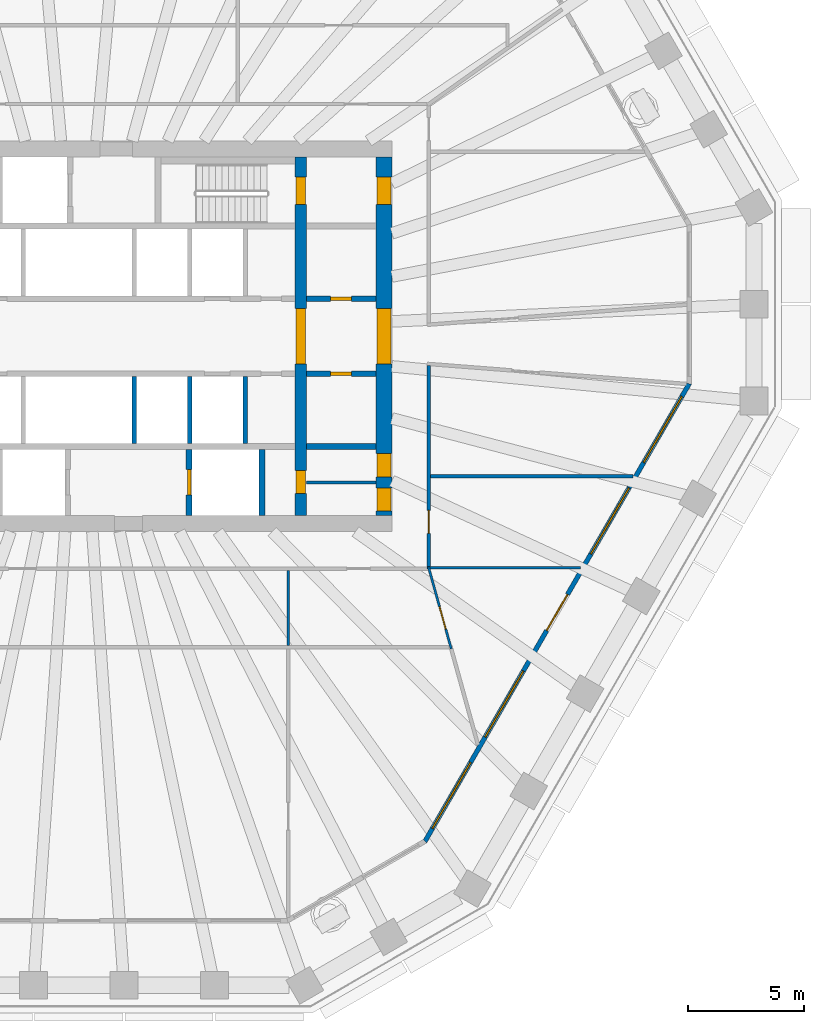
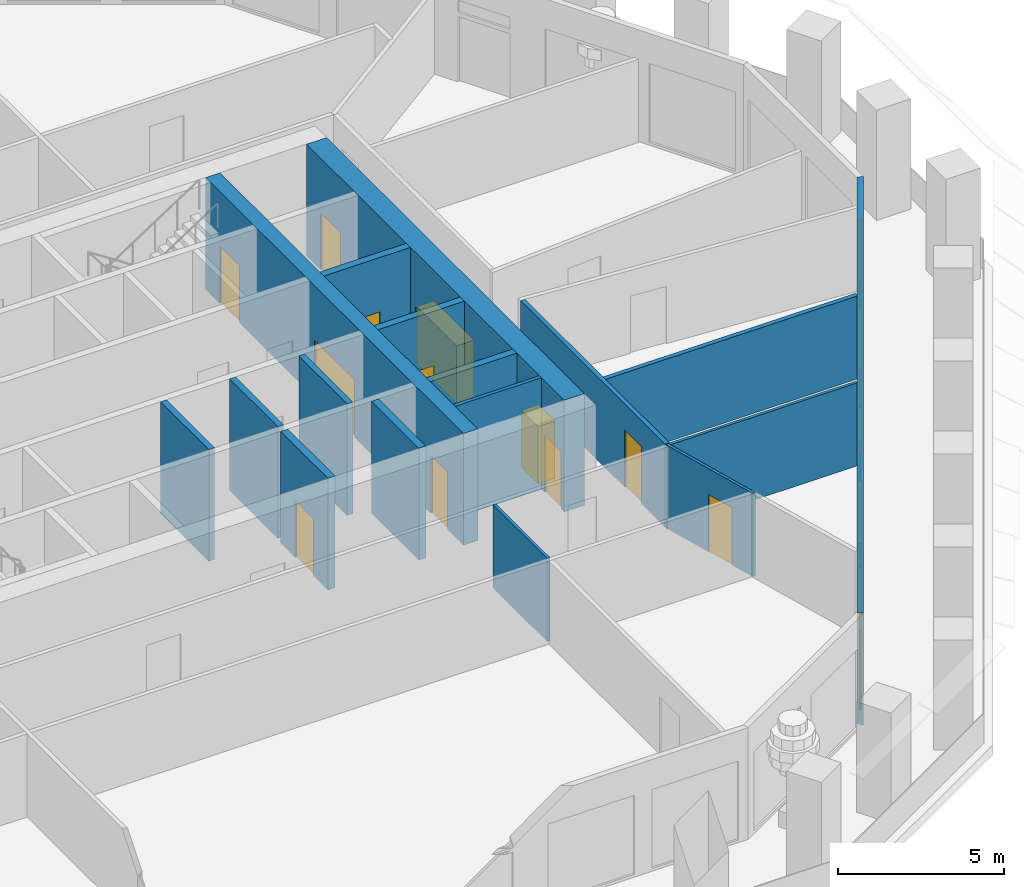
# One storey, part 5 of 12: 17 walls, 13 doors, 5 windows, 18 openings.
"""IFC4 building model written with IfcOpenShell, lengths in metres."""

from ifc_helpers import new_model, si_unit, direction, frame, frame_2d, origin, place, context, subcontext, project, spatial, polyline, rectangle, outline, extrude, material, layer, layer_set, type_object, element, fill, save


model = new_model("IFC4")

# Units and contexts
model_context = context("Model", 3, precision=1e-05, world=origin(), true_north=direction((0.0, 1.0)))
body_context = subcontext(model_context, "Body", "Model", "MODEL_VIEW")
ifc_project = project(units=[si_unit("LENGTHUNIT", "METRE"), si_unit("AREAUNIT", "SQUARE_METRE"), si_unit("VOLUMEUNIT", "CUBIC_METRE"), si_unit("PLANEANGLEUNIT", "RADIAN"), si_unit("MASSUNIT", "GRAM", prefix="KILO")], contexts=[model_context])

# Site, building, storey
site_placement = place(None, origin())
site = spatial("IfcSite", under=ifc_project, at=site_placement, CompositionType="ELEMENT")
building_placement = place(site_placement, origin())
building = spatial("IfcBuilding", under=site, at=building_placement, Name="Frailejon Research Tower", CompositionType="ELEMENT")
storey_placement = place(building_placement, frame((0.0, 0.0, 189.199951171875)))
storey = spatial("IfcBuildingStorey", under=building, at=storey_placement, Name="L41", CompositionType="ELEMENT", Elevation=189.199951171875)

# Wall
ifc_material_1 = material(Name="Plasterboard on steel studs", Category="steel")
ifc_layer_1 = layer(ifc_material_1, 0.125)
ifc_layer_set_1 = layer_set([ifc_layer_1], Name="Core partition 125")
wall_type_1 = type_object("IfcWallType", Name="Core partition 125", PredefinedType="PARTITIONING", material=ifc_layer_set_1)
wall_1_placement = place(storey_placement, frame((9.85009765625, -6.324951171875, 0.0), z_axis=(0.0, 0.0, 1.0), x_axis=(1.0, 0.0, 0.0)))
element("IfcWall", 1, at=wall_1_placement, inside=storey, type_object=wall_type_1, Name="Core partition", PredefinedType="PARTITIONING", context=body_context, shape_type="SweptSolid", body=[
    extrude(rectangle(XDim=3.0, YDim=0.125, at=frame_2d((1.5, 0.0))), origin(), (0.0, 0.0, 1.0), 4.10009765625),
])

# Wall, openings, doors
ifc_material_2 = material(Name="Concrete C60/75", Category="concrete")
ifc_layer_2 = layer(ifc_material_2, 0.5)
ifc_layer_set_2 = layer_set([ifc_layer_2], Name="Core shear wall 500 C60/75")
wall_type_2 = type_object("IfcWallType", Name="Core shear wall 500 C60/75", PredefinedType="SHEAR", material=ifc_layer_set_2)
wall_2_placement = place(storey_placement, frame((9.60009765625, -7.75, 0.0), z_axis=(0.0, 0.0, 1.0), x_axis=(0.0, 1.0, 0.0)))
wall_2 = element("IfcWall", 2, at=wall_2_placement, inside=storey, type_object=wall_type_2, Name="Core shear wall", PredefinedType="SHEAR", context=body_context, shape_type="SweptSolid", body=[
    extrude(rectangle(XDim=15.5, YDim=0.5, at=frame_2d((7.75, 0.0))), origin(), (0.0, 0.0, 1.0), 4.10009765625),
])
opening_1_placement = place(wall_2_placement, frame((6.550048828125, 0.0, 0.0)))
opening_1 = element("IfcOpeningElement", 3, at=opening_1_placement, cuts=wall_2, Name="Opening D2", PredefinedType="OPENING", context=body_context, shape_type="SweptSolid", body=[
    extrude(rectangle(XDim=2.39990234375, YDim=2.10009765625, at=frame_2d((1.199951171875, 1.050048828125))), frame((0.0, 0.260009765625, 0.0), z_axis=(0.0, -1.0, 0.0), x_axis=(1.0, 0.0, 0.0)), (0.0, 0.0, 1.0), 0.52001953125),
])
opening_2_placement = place(wall_2_placement, frame((13.449951171875, 0.0, 0.0)))
opening_2 = element("IfcOpeningElement", 4, at=opening_2_placement, cuts=wall_2, Name="Opening D1", PredefinedType="OPENING", context=body_context, shape_type="SweptSolid", body=[
    extrude(rectangle(XDim=1.199951171875, YDim=2.10009765625, at=frame_2d((0.60009765625, 1.050048828125))), frame((0.0, 0.260009765625, 0.0), z_axis=(0.0, -1.0, 0.0), x_axis=(1.0, 0.0, 0.0)), (0.0, 0.0, 1.0), 0.52001953125),
])
opening_3_placement = place(wall_2_placement, frame((0.949951171875, 0.0, 0.0)))
opening_3 = element("IfcOpeningElement", 5, at=opening_3_placement, cuts=wall_2, Name="Opening D4", PredefinedType="OPENING", context=body_context, shape_type="SweptSolid", body=[
    extrude(rectangle(XDim=1.0, YDim=2.10009765625, at=frame_2d((0.5, 1.050048828125))), frame((0.0, 0.260009765625, 0.0), z_axis=(0.0, -1.0, 0.0), x_axis=(1.0, 0.0, 0.0)), (0.0, 0.0, 1.0), 0.52001953125),
])
ifc_material_3 = material(Name="Steel", Category="steel")
door_type_1 = type_object("IfcDoorType", Name="Lobby double door", OperationType="DOUBLE_DOOR_SINGLE_SWING", PredefinedType="DOOR", material=ifc_material_3)
door_1_placement = place(opening_1_placement, origin())
door_1 = element("IfcDoor", 6, at=door_1_placement, inside=storey, type_object=door_type_1, Name="Lobby door", OperationType="DOUBLE_DOOR_SINGLE_SWING", OverallHeight=2.10009765625, OverallWidth=2.39990234375, PredefinedType="DOOR", context=body_context, shape_type="SweptSolid", body=[
    extrude(rectangle(XDim=2.39990234375, YDim=2.10009765625, at=frame_2d((1.199951171875, 1.050048828125))), frame((0.0, 0.199951171875, 0.0), z_axis=(0.0, -1.0, 0.0), x_axis=(1.0, 0.0, 0.0)), (0.0, 0.0, 1.0), 0.39990234375),
])
fill(opening_1, door_1)
ifc_material_4 = material(Name="Steel", Category="steel")
door_type_2 = type_object("IfcDoorType", Name="Service door", OperationType="SINGLE_SWING_LEFT", PredefinedType="DOOR", material=ifc_material_4)
door_2_placement = place(opening_3_placement, origin())
door_2 = element("IfcDoor", 7, at=door_2_placement, inside=storey, type_object=door_type_2, Name="Riser door", OperationType="SINGLE_SWING_RIGHT", OverallHeight=2.10009765625, OverallWidth=1.0, PredefinedType="DOOR", context=body_context, shape_type="SweptSolid", body=[
    extrude(rectangle(XDim=1.0, YDim=2.10009765625, at=frame_2d((0.5, 1.050048828125))), frame((0.0, 0.199951171875, 0.0), z_axis=(0.0, -1.0, 0.0), x_axis=(1.0, 0.0, 0.0)), (0.0, 0.0, 1.0), 0.39990234375),
])
fill(opening_3, door_2)
ifc_material_5 = material(Name="Steel", Category="steel")
door_type_3 = type_object("IfcDoorType", Name="Stair door", OperationType="SINGLE_SWING_LEFT", PredefinedType="DOOR", material=ifc_material_5)
door_3_placement = place(opening_2_placement, origin())
door_3 = element("IfcDoor", 8, at=door_3_placement, inside=storey, type_object=door_type_3, Name="Stair door ST3", OperationType="SINGLE_SWING_RIGHT", OverallHeight=2.10009765625, OverallWidth=1.199951171875, PredefinedType="DOOR", context=body_context, shape_type="SweptSolid", body=[
    extrude(rectangle(XDim=1.199951171875, YDim=2.10009765625, at=frame_2d((0.60009765625, 1.050048828125))), frame((0.0, 0.199951171875, 0.0), z_axis=(0.0, -1.0, 0.0), x_axis=(1.0, 0.0, 0.0)), (0.0, 0.0, 1.0), 0.39990234375),
])
fill(opening_2, door_3)

ifc_material_6 = material(Name="Concrete C60/75", Category="concrete")
ifc_layer_3 = layer(ifc_material_6, 0.699951171875)
ifc_layer_set_3 = layer_set([ifc_layer_3], Name="Core shear wall 700 C60/75")
wall_type_3 = type_object("IfcWallType", Name="Core shear wall 700 C60/75", PredefinedType="SHEAR", material=ifc_layer_set_3)
wall_3_placement = place(storey_placement, frame((13.199951171875, -7.75, 0.0), z_axis=(0.0, 0.0, 1.0), x_axis=(0.0, 1.0, 0.0)))
wall_3 = element("IfcWall", 9, at=wall_3_placement, inside=storey, type_object=wall_type_3, Name="Core shear wall", PredefinedType="SHEAR", context=body_context, shape_type="SweptSolid", body=[
    extrude(rectangle(XDim=15.5, YDim=0.699951171875, at=frame_2d((7.75, 0.0))), origin(), (0.0, 0.0, 1.0), 4.10009765625),
])
opening_4_placement = place(wall_3_placement, frame((6.550048828125, 0.0, 0.0)))
opening_4 = element("IfcOpeningElement", 10, at=opening_4_placement, cuts=wall_3, Name="Opening D2", PredefinedType="OPENING", context=body_context, shape_type="SweptSolid", body=[
    extrude(rectangle(XDim=2.39990234375, YDim=2.10009765625, at=frame_2d((1.199951171875, 1.050048828125))), frame((0.0, 0.35986328125, 0.0), z_axis=(0.0, -1.0, 0.0), x_axis=(1.0, 0.0, 0.0)), (0.0, 0.0, 1.0), 0.719970703125),
])
opening_5_placement = place(wall_3_placement, frame((13.449951171875, 0.0, 0.0)))
opening_5 = element("IfcOpeningElement", 11, at=opening_5_placement, cuts=wall_3, Name="Opening D7", PredefinedType="OPENING", context=body_context, shape_type="SweptSolid", body=[
    extrude(rectangle(XDim=1.199951171875, YDim=2.10009765625, at=frame_2d((0.60009765625, 1.050048828125))), frame((0.0, 0.35986328125, 0.0), z_axis=(0.0, -1.0, 0.0), x_axis=(1.0, 0.0, 0.0)), (0.0, 0.0, 1.0), 0.719970703125),
])
opening_6_placement = place(wall_3_placement, frame((0.181396484375, 0.0, 0.0)))
opening_6 = element("IfcOpeningElement", 12, at=opening_6_placement, cuts=wall_3, Name="Opening D4", PredefinedType="OPENING", context=body_context, shape_type="SweptSolid", body=[
    extrude(rectangle(XDim=1.0, YDim=2.10009765625, at=frame_2d((0.5, 1.050048828125))), frame((0.0, 0.35986328125, 0.0), z_axis=(0.0, -1.0, 0.0), x_axis=(1.0, 0.0, 0.0)), (0.0, 0.0, 1.0), 0.719970703125),
])
opening_7_placement = place(wall_3_placement, frame((1.668701171875, 0.0, 0.0)))
opening_7 = element("IfcOpeningElement", 13, at=opening_7_placement, cuts=wall_3, Name="Opening D4", PredefinedType="OPENING", context=body_context, shape_type="SweptSolid", body=[
    extrude(rectangle(XDim=1.0, YDim=2.10009765625, at=frame_2d((0.5, 1.050048828125))), frame((0.0, 0.35986328125, 0.0), z_axis=(0.0, -1.0, 0.0), x_axis=(1.0, 0.0, 0.0)), (0.0, 0.0, 1.0), 0.719970703125),
])
door_4_placement = place(opening_4_placement, origin())
door_4 = element("IfcDoor", 14, at=door_4_placement, inside=storey, type_object=door_type_1, Name="Lobby door", OperationType="DOUBLE_DOOR_SINGLE_SWING", OverallHeight=2.10009765625, OverallWidth=2.39990234375, PredefinedType="DOOR", context=body_context, shape_type="SweptSolid", body=[
    extrude(rectangle(XDim=2.39990234375, YDim=2.10009765625, at=frame_2d((1.199951171875, 1.050048828125))), frame((0.0, 0.300048828125, 0.0), z_axis=(0.0, -1.0, 0.0), x_axis=(1.0, 0.0, 0.0)), (0.0, 0.0, 1.0), 0.60009765625),
])
fill(opening_4, door_4)
door_5_placement = place(opening_6_placement, origin())
door_5 = element("IfcDoor", 15, at=door_5_placement, inside=storey, type_object=door_type_2, Name="Store door", OperationType="SINGLE_SWING_LEFT", OverallHeight=2.10009765625, OverallWidth=1.0, PredefinedType="DOOR", context=body_context, shape_type="SweptSolid", body=[
    extrude(rectangle(XDim=1.0, YDim=2.10009765625, at=frame_2d((0.5, 1.050048828125))), frame((0.0, 0.300048828125, 0.0), z_axis=(0.0, -1.0, 0.0), x_axis=(1.0, 0.0, 0.0)), (0.0, 0.0, 1.0), 0.60009765625),
])
fill(opening_6, door_5)
door_6_placement = place(opening_7_placement, origin())
door_6 = element("IfcDoor", 16, at=door_6_placement, inside=storey, type_object=door_type_2, Name="Store door", OperationType="SINGLE_SWING_RIGHT", OverallHeight=2.10009765625, OverallWidth=1.0, PredefinedType="DOOR", context=body_context, shape_type="SweptSolid", body=[
    extrude(rectangle(XDim=1.0, YDim=2.10009765625, at=frame_2d((0.5, 1.050048828125))), frame((0.0, 0.300048828125, 0.0), z_axis=(0.0, -1.0, 0.0), x_axis=(1.0, 0.0, 0.0)), (0.0, 0.0, 1.0), 0.60009765625),
])
fill(opening_7, door_6)
ifc_material_7 = material(Name="Steel", Category="steel")
door_type_4 = type_object("IfcDoorType", Name="Stair exit door", OperationType="SINGLE_SWING_LEFT", PredefinedType="DOOR", material=ifc_material_7)
door_7_placement = place(opening_5_placement, origin())
door_7 = element("IfcDoor", 17, at=door_7_placement, inside=storey, type_object=door_type_4, Name="Stair exit door ST3", OperationType="SINGLE_SWING_LEFT", OverallHeight=2.10009765625, OverallWidth=1.199951171875, PredefinedType="DOOR", context=body_context, shape_type="SweptSolid", body=[
    extrude(rectangle(XDim=1.199951171875, YDim=2.10009765625, at=frame_2d((0.60009765625, 1.050048828125))), frame((0.0, 0.300048828125, 0.0), z_axis=(0.0, -1.0, 0.0), x_axis=(1.0, 0.0, 0.0)), (0.0, 0.0, 1.0), 0.60009765625),
])
fill(opening_5, door_7)

# Wall, opening, door
ifc_material_8 = material(Name="Gypsum board and masonry partition", Category="masonry")
ifc_layer_4 = layer(ifc_material_8, 0.14990234375)
ifc_layer_set_4 = layer_set([ifc_layer_4], Name="Corridor wall EI 60, gypsum on steel studs 150")
wall_type_4 = type_object("IfcWallType", Name="Corridor wall EI 60, gypsum on steel studs 150", PredefinedType="PARTITIONING", material=ifc_layer_set_4)
wall_4_placement = place(storey_placement, frame((15.14990234375, -9.96630859375, 0.0), z_axis=(0.0, 0.0, 1.0), x_axis=(0.0, 1.0, 0.0)))
wall_4 = element("IfcWall", 18, at=wall_4_placement, inside=storey, type_object=wall_type_4, Name="T:IW:L41:001", PredefinedType="PARTITIONING", context=body_context, shape_type="SweptSolid", body=[
    extrude(rectangle(XDim=8.69189453125, YDim=0.14990234375, at=frame_2d((4.345947265625, 0.0))), origin(), (0.0, 0.0, 1.0), 3.050048828125),
])
opening_8_placement = place(wall_4_placement, frame((1.43359375, 0.0, 0.0)))
opening_8 = element("IfcOpeningElement", 19, at=opening_8_placement, cuts=wall_4, Name="Opening D1901", PredefinedType="OPENING", context=body_context, shape_type="SweptSolid", body=[
    extrude(rectangle(XDim=1.0, YDim=2.10009765625, at=frame_2d((0.5, 1.050048828125))), frame((0.0, 0.0849609375, 0.0), z_axis=(0.0, -1.0, 0.0), x_axis=(1.0, 0.0, 0.0)), (0.0, 0.0, 1.0), 0.169921875),
])
ifc_material_9 = material(Name="Timber door leaf", Category="wood")
door_type_5 = type_object("IfcDoorType", Name="Door single leaf, timber, steel frame 1000", OperationType="NOTDEFINED", PredefinedType="DOOR", material=ifc_material_9)
door_8_placement = place(opening_8_placement, origin())
door_8 = element("IfcDoor", 20, at=door_8_placement, inside=storey, type_object=door_type_5, Name="D1901", OperationType="SINGLE_SWING_RIGHT", OverallHeight=2.10009765625, OverallWidth=1.0, PredefinedType="DOOR", context=body_context, shape_type="SweptSolid", body=[
    extrude(rectangle(XDim=1.0, YDim=2.10009765625, at=frame_2d((0.5, 1.050048828125))), frame((0.0, 0.02490234375, 0.0), z_axis=(0.0, -1.0, 0.0), x_axis=(1.0, 0.0, 0.0)), (0.0, 0.0, 1.0), 0.050048828125),
])
fill(opening_8, door_8)

# Walls
ifc_material_10 = material(Name="Gypsum board and masonry partition", Category="masonry")
ifc_layer_5 = layer(ifc_material_10, 0.14990234375)
ifc_layer_set_5 = layer_set([ifc_layer_5], Name="Laboratory partition, blockwork 150")
wall_type_5 = type_object("IfcWallType", Name="Laboratory partition, blockwork 150", PredefinedType="PARTITIONING", material=ifc_layer_set_5)
wall_5_placement = place(storey_placement, frame((15.22509765625, -6.048828125, 0.0), z_axis=(0.0, 0.0, 1.0), x_axis=(1.0, 0.0, 0.0)))
element("IfcWall", 21, at=wall_5_placement, inside=storey, type_object=wall_type_5, Name="T:IW:L41:023", PredefinedType="PARTITIONING", context=body_context, shape_type="SweptSolid", body=[
    extrude(rectangle(XDim=8.764404296875, YDim=0.14990234375, at=frame_2d((4.38232421875, 0.0))), origin(), (0.0, 0.0, 1.0), 3.050048828125),
])
ifc_material_11 = material(Name="Gypsum board and masonry partition", Category="masonry")
ifc_layer_6 = layer(ifc_material_11, 0.10009765625)
ifc_layer_set_6 = layer_set([ifc_layer_6], Name="Partition, gypsum on steel studs 100")
wall_type_6 = type_object("IfcWallType", Name="Partition, gypsum on steel studs 100", PredefinedType="PARTITIONING", material=ifc_layer_set_6)
wall_6_placement = place(storey_placement, frame((9.05810546875, -13.375, 0.0), z_axis=(0.0, 0.0, 1.0), x_axis=(0.0, 1.0, 0.0)))
element("IfcWall", 22, at=wall_6_placement, inside=storey, type_object=wall_type_6, Name="T:IW:L41:027", PredefinedType="PARTITIONING", context=body_context, shape_type="SweptSolid", body=[
    extrude(rectangle(XDim=3.25, YDim=0.10009765625, at=frame_2d((1.625, 0.0))), origin(), (0.0, 0.0, 1.0), 3.050048828125),
])

# Wall, opening, door
wall_7_placement = place(storey_placement, frame((15.1298828125, -9.977783203125, 0.0), z_axis=(0.0, 0.0, 1.0), x_axis=(0.268088761136, -0.963394216379, 0.0)))
wall_7 = element("IfcWall", 23, at=wall_7_placement, inside=storey, type_object=wall_type_6, Name="T:IW:L41:028", PredefinedType="PARTITIONING", context=body_context, shape_type="SweptSolid", body=[
    extrude(rectangle(XDim=3.67919921875, YDim=0.10009765625, at=frame_2d((1.839599609375, 0.0))), origin(), (0.0, 0.0, 1.0), 3.050048828125),
])
opening_9_placement = place(wall_7_placement, frame((1.796875, 0.0, 0.0)))
opening_9 = element("IfcOpeningElement", 24, at=opening_9_placement, cuts=wall_7, Name="Opening D1900", PredefinedType="OPENING", context=body_context, shape_type="SweptSolid", body=[
    extrude(rectangle(XDim=1.0, YDim=2.10009765625, at=frame_2d((0.5, 1.050048828125))), frame((0.0, 0.06005859375, 0.0), z_axis=(0.0, -1.0, 0.0), x_axis=(1.0, 0.0, 0.0)), (0.0, 0.0, 1.0), 0.1201171875),
])
door_9_placement = place(opening_9_placement, origin())
door_9 = element("IfcDoor", 25, at=door_9_placement, inside=storey, type_object=door_type_5, Name="D1900", OperationType="SINGLE_SWING_RIGHT", OverallHeight=2.10009765625, OverallWidth=1.0, PredefinedType="DOOR", context=body_context, shape_type="SweptSolid", body=[
    extrude(rectangle(XDim=1.0, YDim=2.10009765625, at=frame_2d((0.5, 1.050048828125))), frame((0.0, 0.02490234375, 0.0), z_axis=(0.0, -1.0, 0.0), x_axis=(1.0, 0.0, 0.0)), (0.0, 0.0, 1.0), 0.050048828125),
])
fill(opening_9, door_9)

# Walls
wall_8_placement = place(storey_placement, frame((15.074951171875, -10.016357421875, 0.0), z_axis=(0.0, 0.0, 1.0), x_axis=(1.0, 0.0, 0.0)))
element("IfcWall", 26, at=wall_8_placement, inside=storey, type_object=wall_type_6, Name="T:IW:L41:029", PredefinedType="PARTITIONING", context=body_context, shape_type="SweptSolid", body=[
    extrude(rectangle(XDim=6.6240234375, YDim=0.10009765625, at=frame_2d((3.31201171875, 0.0))), origin(), (0.0, 0.0, 1.0), 3.050048828125),
])
ifc_material_12 = material(Name="Concrete C60/75", Category="concrete")
ifc_layer_7 = layer(ifc_material_12, 0.199951171875)
ifc_layer_set_7 = layer_set([ifc_layer_7], Name="Shaft wall 200 C60/75")
wall_type_7 = type_object("IfcWallType", Name="Shaft wall 200 C60/75", PredefinedType="SOLIDWALL", material=ifc_layer_set_7)
for number, where, z_axis, x_axis, name in (
    (27, (2.39990234375, -4.64990234375, 0.0), (0.0, 0.0, 1.0), (0.0, 1.0, 0.0), "Shaft wall"),
    (28, (4.800048828125, -4.64990234375, 0.0), (0.0, 0.0, 1.0), (0.0, 1.0, 0.0), "Shaft wall"),
    (29, (7.199951171875, -4.64990234375, 0.0), (0.0, 0.0, 1.0), (0.0, 1.0, 0.0), "Shaft wall"),
):
    element("IfcWall", number, at=place(storey_placement, frame(where, z_axis=z_axis, x_axis=x_axis)), inside=storey, type_object=wall_type_7, Name=name, PredefinedType="SOLIDWALL", context=body_context, shape_type="SweptSolid", body=[
        extrude(rectangle(XDim=2.89990234375, YDim=0.199951171875, at=frame_2d((1.449951171875, 0.0))), origin(), (0.0, 0.0, 1.0), 4.10009765625),
    ])

# Wall, opening, door
ifc_material_13 = material(Name="Concrete C60/75", Category="concrete")
ifc_layer_8 = layer(ifc_material_13, 0.25)
ifc_layer_set_8 = layer_set([ifc_layer_8], Name="Shaft wall 250 C60/75")
wall_type_8 = type_object("IfcWallType", Name="Shaft wall 250 C60/75", PredefinedType="SOLIDWALL", material=ifc_layer_set_8)
wall_9_placement = place(storey_placement, frame((9.85009765625, 1.625, 0.0), z_axis=(0.0, 0.0, 1.0), x_axis=(1.0, 0.0, 0.0)))
wall_9 = element("IfcWall", 30, at=wall_9_placement, inside=storey, type_object=wall_type_8, Name="Shaft wall", PredefinedType="SOLIDWALL", context=body_context, shape_type="SweptSolid", body=[
    extrude(rectangle(XDim=3.0, YDim=0.25, at=frame_2d((1.5, 0.0))), origin(), (0.0, 0.0, 1.0), 4.10009765625),
])
opening_10_placement = place(wall_9_placement, frame((1.050048828125, 0.0, 0.0)))
opening_10 = element("IfcOpeningElement", 31, at=opening_10_placement, cuts=wall_9, Name="Opening D8", PredefinedType="OPENING", context=body_context, shape_type="SweptSolid", body=[
    extrude(rectangle(XDim=0.89990234375, YDim=2.10009765625, at=frame_2d((0.449951171875, 1.050048828125))), frame((0.0, 0.135009765625, 0.0), z_axis=(0.0, -1.0, 0.0), x_axis=(1.0, 0.0, 0.0)), (0.0, 0.0, 1.0), 0.27001953125),
])
ifc_material_14 = material(Name="Steel", Category="steel")
door_type_6 = type_object("IfcDoorType", Name="Core room door", OperationType="SINGLE_SWING_LEFT", PredefinedType="DOOR", material=ifc_material_14)
door_10_placement = place(opening_10_placement, origin())
door_10 = element("IfcDoor", 32, at=door_10_placement, inside=storey, type_object=door_type_6, Name="Room door", OperationType="SINGLE_SWING_LEFT", OverallHeight=2.10009765625, OverallWidth=0.89990234375, PredefinedType="DOOR", context=body_context, shape_type="SweptSolid", body=[
    extrude(rectangle(XDim=0.89990234375, YDim=2.10009765625, at=frame_2d((0.449951171875, 1.050048828125))), frame((0.0, 0.074951171875, 0.0), z_axis=(0.0, -1.0, 0.0), x_axis=(1.0, 0.0, 0.0)), (0.0, 0.0, 1.0), 0.14990234375),
])
fill(opening_10, door_10)

wall_10_placement = place(storey_placement, frame((9.85009765625, -1.625, 0.0), z_axis=(0.0, 0.0, 1.0), x_axis=(1.0, 0.0, 0.0)))
wall_10 = element("IfcWall", 33, at=wall_10_placement, inside=storey, type_object=wall_type_8, Name="Shaft wall", PredefinedType="SOLIDWALL", context=body_context, shape_type="SweptSolid", body=[
    extrude(rectangle(XDim=3.0, YDim=0.25, at=frame_2d((1.5, 0.0))), origin(), (0.0, 0.0, 1.0), 4.10009765625),
])
opening_11_placement = place(wall_10_placement, frame((1.050048828125, 0.0, 0.0)))
opening_11 = element("IfcOpeningElement", 34, at=opening_11_placement, cuts=wall_10, Name="Opening D8", PredefinedType="OPENING", context=body_context, shape_type="SweptSolid", body=[
    extrude(rectangle(XDim=0.89990234375, YDim=2.10009765625, at=frame_2d((0.449951171875, 1.050048828125))), frame((0.0, 0.135009765625, 0.0), z_axis=(0.0, -1.0, 0.0), x_axis=(1.0, 0.0, 0.0)), (0.0, 0.0, 1.0), 0.27001953125),
])
door_11_placement = place(opening_11_placement, origin())
door_11 = element("IfcDoor", 35, at=door_11_placement, inside=storey, type_object=door_type_6, Name="Room door", OperationType="SINGLE_SWING_RIGHT", OverallHeight=2.10009765625, OverallWidth=0.89990234375, PredefinedType="DOOR", context=body_context, shape_type="SweptSolid", body=[
    extrude(rectangle(XDim=0.89990234375, YDim=2.10009765625, at=frame_2d((0.449951171875, 1.050048828125))), frame((0.0, 0.074951171875, 0.0), z_axis=(0.0, -1.0, 0.0), x_axis=(1.0, 0.0, 0.0)), (0.0, 0.0, 1.0), 0.14990234375),
])
fill(opening_11, door_11)

# Wall
wall_11_placement = place(storey_placement, frame((9.85009765625, -4.77490234375, 0.0), z_axis=(0.0, 0.0, 1.0), x_axis=(1.0, 0.0, 0.0)))
element("IfcWall", 36, at=wall_11_placement, inside=storey, type_object=wall_type_8, Name="Shaft wall", PredefinedType="SOLIDWALL", context=body_context, shape_type="SweptSolid", body=[
    extrude(rectangle(XDim=3.0, YDim=0.25, at=frame_2d((1.5, 0.0))), origin(), (0.0, 0.0, 1.0), 4.10009765625),
])

# Wall, opening, door
wall_12_placement = place(storey_placement, frame((4.77490234375, -7.75, 0.0), z_axis=(0.0, 0.0, 1.0), x_axis=(0.0, 1.0, 0.0)))
wall_12 = element("IfcWall", 37, at=wall_12_placement, inside=storey, type_object=wall_type_8, Name="Shaft wall", PredefinedType="SOLIDWALL", context=body_context, shape_type="SweptSolid", body=[
    extrude(rectangle(XDim=2.85009765625, YDim=0.25, at=frame_2d((1.425048828125, 0.0))), origin(), (0.0, 0.0, 1.0), 4.10009765625),
])
opening_12_placement = place(wall_12_placement, frame((0.875, 0.0, 0.0)))
opening_12 = element("IfcOpeningElement", 38, at=opening_12_placement, cuts=wall_12, Name="Opening LD", PredefinedType="OPENING", context=body_context, shape_type="SweptSolid", body=[
    extrude(rectangle(XDim=1.10009765625, YDim=2.10009765625, at=frame_2d((0.550048828125, 1.050048828125))), frame((0.0, 0.135009765625, 0.0), z_axis=(0.0, -1.0, 0.0), x_axis=(1.0, 0.0, 0.0)), (0.0, 0.0, 1.0), 0.27001953125),
])
ifc_material_15 = material(Name="Steel", Category="steel")
door_type_7 = type_object("IfcDoorType", Name="Lift landing door", OperationType="DOUBLE_DOOR_SLIDING", PredefinedType="DOOR", material=ifc_material_15)
door_12_placement = place(opening_12_placement, origin())
door_12 = element("IfcDoor", 39, at=door_12_placement, inside=storey, type_object=door_type_7, Name="Lift landing door", OperationType="DOUBLE_DOOR_SLIDING", OverallHeight=2.10009765625, OverallWidth=1.10009765625, PredefinedType="DOOR", context=body_context, shape_type="SweptSolid", body=[
    extrude(rectangle(XDim=1.10009765625, YDim=2.10009765625, at=frame_2d((0.550048828125, 1.050048828125))), frame((0.0, 0.074951171875, 0.0), z_axis=(0.0, -1.0, 0.0), x_axis=(1.0, 0.0, 0.0)), (0.0, 0.0, 1.0), 0.14990234375),
])
fill(opening_12, door_12)

# Wall
wall_13_placement = place(storey_placement, frame((7.925048828125, -7.75, 0.0), z_axis=(0.0, 0.0, 1.0), x_axis=(0.0, 1.0, 0.0)))
element("IfcWall", 40, at=wall_13_placement, inside=storey, type_object=wall_type_8, Name="Shaft wall", PredefinedType="SOLIDWALL", context=body_context, shape_type="SweptSolid", body=[
    extrude(rectangle(XDim=2.85009765625, YDim=0.25, at=frame_2d((1.425048828125, 0.0))), origin(), (0.0, 0.0, 1.0), 4.10009765625),
])

# Wall, openings, door, windows
ifc_material_16 = material(Name="Concrete C40/50 precast window wall panel", Category="concrete")
ifc_layer_9 = layer(ifc_material_16, 0.199951171875)
ifc_layer_set_9 = layer_set([ifc_layer_9], Name="Window wall 200")
wall_type_9 = type_object("IfcWallType", Name="Window wall 200", PredefinedType="SOLIDWALL", material=ifc_layer_set_9)
wall_14_placement = place(storey_placement, frame((14.98486328125, -21.845458984375, 0.0), z_axis=(0.0, 0.0, 1.0), x_axis=(0.50000204422, 0.86602422355, 0.0)))
wall_14 = element("IfcWall", 41, at=wall_14_placement, inside=storey, type_object=wall_type_9, Name="Exterior wall L41", PredefinedType="SOLIDWALL", context=body_context, shape_type="SweptSolid", body=[
    extrude(outline(polyline([(-0.02685546875, -0.10009765625), (1.014404296875, -0.10009765625), (2.055419921875, -0.10009765625), (3.0966796875, -0.10009765625), (4.137939453125, -0.10009765625), (5.17919921875, -0.10009765625), (6.22021484375, -0.10009765625), (7.261474609375, -0.10009765625), (8.302734375, -0.10009765625), (9.343994140625, -0.10009765625), (10.385009765625, -0.10009765625), (11.42626953125, -0.10009765625), (12.467529296875, -0.10009765625), (13.508544921875, -0.10009765625), (14.5498046875, -0.10009765625), (15.591064453125, -0.10009765625), (16.63232421875, -0.10009765625), (17.67333984375, -0.10009765625), (18.714599609375, -0.10009765625), (19.755859375, -0.10009765625), (20.797119140625, -0.10009765625), (21.838134765625, -0.10009765625), (22.87939453125, -0.10009765625), (22.82568359375, 0.10009765625), (21.789306640625, 0.10009765625), (20.753173828125, 0.10009765625), (19.716796875, 0.10009765625), (18.680419921875, 0.10009765625), (17.64404296875, 0.10009765625), (16.60791015625, 0.10009765625), (15.571533203125, 0.10009765625), (14.53515625, 0.10009765625), (13.498779296875, 0.10009765625), (12.462646484375, 0.10009765625), (11.42626953125, 0.10009765625), (10.389892578125, 0.10009765625), (9.353759765625, 0.10009765625), (8.3173828125, 0.10009765625), (7.281005859375, 0.10009765625), (6.24462890625, 0.10009765625), (5.20849609375, 0.10009765625), (4.172119140625, 0.10009765625), (3.1357421875, 0.10009765625), (2.099365234375, 0.10009765625), (1.063232421875, 0.10009765625), (0.02685546875, 0.10009765625), (-0.02685546875, -0.10009765625)])), origin(), (0.0, 0.0, 1.0), 4.10009765625),
])
opening_13_placement = place(wall_14_placement, frame((0.63525390625, 0.0, 0.10009765625)))
opening_13 = element("IfcOpeningElement", 42, at=opening_13_placement, cuts=wall_14, Name="Opening W5", PredefinedType="OPENING", context=body_context, shape_type="SweptSolid", body=[
    extrude(rectangle(XDim=3.300048828125, YDim=2.89990234375, at=frame_2d((1.64990234375, 1.449951171875))), frame((0.0, 0.10986328125, 0.0), z_axis=(0.0, -1.0, 0.0), x_axis=(1.0, 0.0, 0.0)), (0.0, 0.0, 1.0), 0.219970703125),
])
opening_14_placement = place(wall_14_placement, frame((5.205810546875, 0.0, 0.10009765625)))
opening_14 = element("IfcOpeningElement", 43, at=opening_14_placement, cuts=wall_14, Name="Opening W5", PredefinedType="OPENING", context=body_context, shape_type="SweptSolid", body=[
    extrude(rectangle(XDim=3.300048828125, YDim=2.89990234375, at=frame_2d((1.64990234375, 1.449951171875))), frame((0.0, 0.10986328125, 0.0), z_axis=(0.0, -1.0, 0.0), x_axis=(1.0, 0.0, 0.0)), (0.0, 0.0, 1.0), 0.219970703125),
])
opening_15_placement = place(wall_14_placement, frame((10.5263671875, 0.0, 0.0)))
opening_15 = element("IfcOpeningElement", 44, at=opening_15_placement, cuts=wall_14, Name="Opening LG41-6", PredefinedType="OPENING", context=body_context, shape_type="SweptSolid", body=[
    extrude(rectangle(XDim=1.800048828125, YDim=2.39990234375, at=frame_2d((0.89990234375, 1.199951171875))), frame((0.0, 0.10986328125, 0.0), z_axis=(0.0, -1.0, 0.0), x_axis=(1.0, 0.0, 0.0)), (0.0, 0.0, 1.0), 0.219970703125),
])
opening_16_placement = place(wall_14_placement, frame((10.5263671875, 0.0, 2.550048828125)))
opening_16 = element("IfcOpeningElement", 45, at=opening_16_placement, cuts=wall_14, Name="Opening W1", PredefinedType="OPENING", context=body_context, shape_type="SweptSolid", body=[
    extrude(rectangle(XDim=1.800048828125, YDim=0.449951171875, at=frame_2d((0.89990234375, 0.22509765625))), frame((0.0, 0.10986328125, 0.0), z_axis=(0.0, -1.0, 0.0), x_axis=(1.0, 0.0, 0.0)), (0.0, 0.0, 1.0), 0.219970703125),
])
opening_17_placement = place(wall_14_placement, frame((14.3466796875, 0.0, 0.10009765625)))
opening_17 = element("IfcOpeningElement", 46, at=opening_17_placement, cuts=wall_14, Name="Opening W5", PredefinedType="OPENING", context=body_context, shape_type="SweptSolid", body=[
    extrude(rectangle(XDim=3.300048828125, YDim=2.89990234375, at=frame_2d((1.64990234375, 1.449951171875))), frame((0.0, 0.10986328125, 0.0), z_axis=(0.0, -1.0, 0.0), x_axis=(1.0, 0.0, 0.0)), (0.0, 0.0, 1.0), 0.219970703125),
])
opening_18_placement = place(wall_14_placement, frame((18.917236328125, 0.0, 0.10009765625)))
opening_18 = element("IfcOpeningElement", 47, at=opening_18_placement, cuts=wall_14, Name="Opening W5", PredefinedType="OPENING", context=body_context, shape_type="SweptSolid", body=[
    extrude(rectangle(XDim=3.300048828125, YDim=2.89990234375, at=frame_2d((1.64990234375, 1.449951171875))), frame((0.0, 0.10986328125, 0.0), z_axis=(0.0, -1.0, 0.0), x_axis=(1.0, 0.0, 0.0)), (0.0, 0.0, 1.0), 0.219970703125),
])
ifc_material_17 = material(Name="Aluminium framed glazed door leaf", Category="aluminium")
door_type_8 = type_object("IfcDoorType", Name="Loggia door 1800x2400", OperationType="DOUBLE_DOOR_SINGLE_SWING", PredefinedType="DOOR", material=ifc_material_17)
door_13_placement = place(opening_15_placement, origin())
door_13 = element("IfcDoor", 48, at=door_13_placement, inside=storey, type_object=door_type_8, Name="Door LG41-6", OperationType="DOUBLE_DOOR_SINGLE_SWING", OverallHeight=2.39990234375, OverallWidth=1.800048828125, PredefinedType="DOOR", context=body_context, shape_type="SweptSolid", body=[
    extrude(rectangle(XDim=1.800048828125, YDim=2.39990234375, at=frame_2d((0.89990234375, 1.199951171875))), frame((0.0, 0.02490234375, 0.0), z_axis=(0.0, -1.0, 0.0), x_axis=(1.0, 0.0, 0.0)), (0.0, 0.0, 1.0), 0.050048828125),
])
fill(opening_15, door_13)
ifc_material_18 = material(Name="Aluminium framed double glazing", Category="aluminium")
window_type_1 = type_object("IfcWindowType", Name="Window 1800x450", PartitioningType="SINGLE_PANEL", PredefinedType="WINDOW", material=ifc_material_18)
window_1_placement = place(opening_16_placement, origin())
window_1 = element("IfcWindow", 49, at=window_1_placement, inside=storey, type_object=window_type_1, Name="Window L41", OverallHeight=0.449951171875, OverallWidth=1.800048828125, PartitioningType="SINGLE_PANEL", PredefinedType="WINDOW", context=body_context, shape_type="SweptSolid", body=[
    extrude(rectangle(XDim=1.800048828125, YDim=0.449951171875, at=frame_2d((0.89990234375, 0.22509765625))), frame((0.0, 0.030029296875, 0.0), z_axis=(0.0, -1.0, 0.0), x_axis=(1.0, 0.0, 0.0)), (0.0, 0.0, 1.0), 0.06005859375),
])
fill(opening_16, window_1)
ifc_material_19 = material(Name="Aluminium framed double glazing", Category="aluminium")
window_type_2 = type_object("IfcWindowType", Name="Window 3300x2900", PartitioningType="SINGLE_PANEL", PredefinedType="WINDOW", material=ifc_material_19)
window_2_placement = place(opening_13_placement, origin())
window_2 = element("IfcWindow", 50, at=window_2_placement, inside=storey, type_object=window_type_2, Name="Window L41", OverallHeight=2.89990234375, OverallWidth=3.300048828125, PartitioningType="SINGLE_PANEL", PredefinedType="WINDOW", context=body_context, shape_type="SweptSolid", body=[
    extrude(rectangle(XDim=3.300048828125, YDim=2.89990234375, at=frame_2d((1.64990234375, 1.449951171875))), frame((0.0, 0.030029296875, 0.0), z_axis=(0.0, -1.0, 0.0), x_axis=(1.0, 0.0, 0.0)), (0.0, 0.0, 1.0), 0.06005859375),
])
fill(opening_13, window_2)
window_3_placement = place(opening_14_placement, origin())
window_3 = element("IfcWindow", 51, at=window_3_placement, inside=storey, type_object=window_type_2, Name="Window L41", OverallHeight=2.89990234375, OverallWidth=3.300048828125, PartitioningType="SINGLE_PANEL", PredefinedType="WINDOW", context=body_context, shape_type="SweptSolid", body=[
    extrude(rectangle(XDim=3.300048828125, YDim=2.89990234375, at=frame_2d((1.64990234375, 1.449951171875))), frame((0.0, 0.030029296875, 0.0), z_axis=(0.0, -1.0, 0.0), x_axis=(1.0, 0.0, 0.0)), (0.0, 0.0, 1.0), 0.06005859375),
])
fill(opening_14, window_3)
window_4_placement = place(opening_17_placement, origin())
window_4 = element("IfcWindow", 52, at=window_4_placement, inside=storey, type_object=window_type_2, Name="Window L41", OverallHeight=2.89990234375, OverallWidth=3.300048828125, PartitioningType="SINGLE_PANEL", PredefinedType="WINDOW", context=body_context, shape_type="SweptSolid", body=[
    extrude(rectangle(XDim=3.300048828125, YDim=2.89990234375, at=frame_2d((1.64990234375, 1.449951171875))), frame((0.0, 0.030029296875, 0.0), z_axis=(0.0, -1.0, 0.0), x_axis=(1.0, 0.0, 0.0)), (0.0, 0.0, 1.0), 0.06005859375),
])
fill(opening_17, window_4)
window_5_placement = place(opening_18_placement, origin())
window_5 = element("IfcWindow", 53, at=window_5_placement, inside=storey, type_object=window_type_2, Name="Window L41", OverallHeight=2.89990234375, OverallWidth=3.300048828125, PartitioningType="SINGLE_PANEL", PredefinedType="WINDOW", context=body_context, shape_type="SweptSolid", body=[
    extrude(rectangle(XDim=3.300048828125, YDim=2.89990234375, at=frame_2d((1.64990234375, 1.449951171875))), frame((0.0, 0.030029296875, 0.0), z_axis=(0.0, -1.0, 0.0), x_axis=(1.0, 0.0, 0.0)), (0.0, 0.0, 1.0), 0.06005859375),
])
fill(opening_18, window_5)

save(model, "model.ifc")
